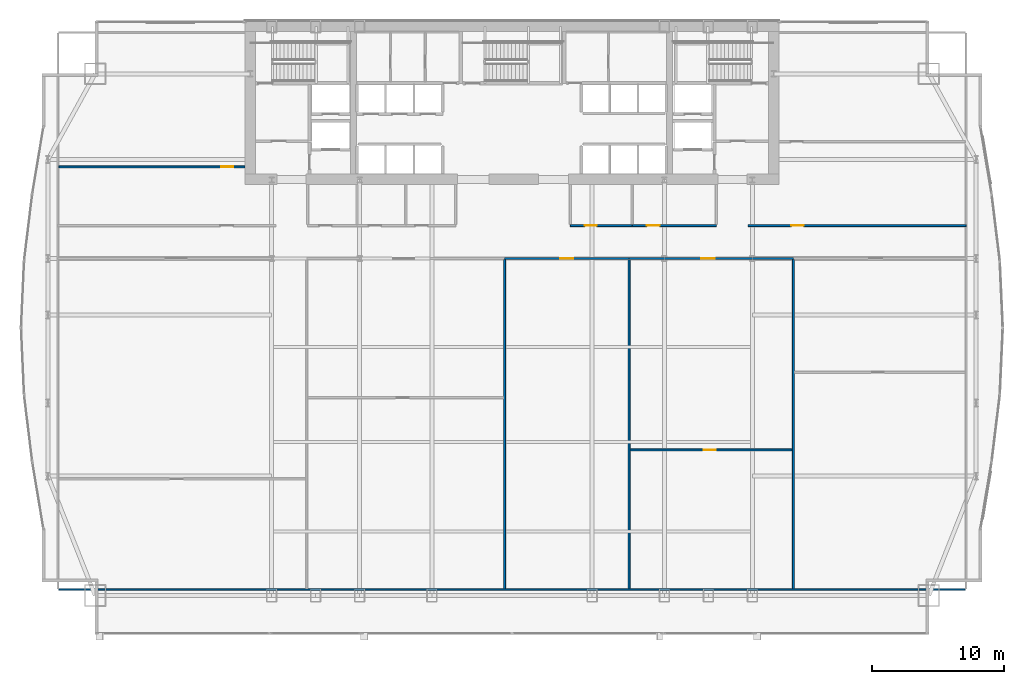
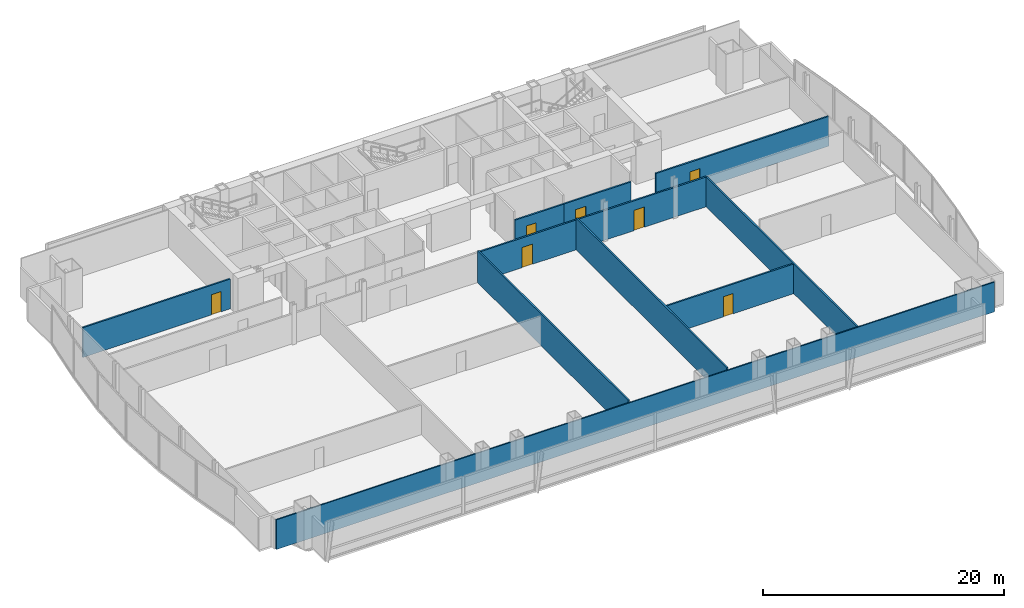
# One storey, part 27 of 32: 11 walls, 7 doors, 7 openings.
"""IFC4 building model written with IfcOpenShell, lengths in metres."""

from ifc_helpers import new_model, si_unit, direction, frame, frame_2d, origin, place, context, subcontext, project, spatial, rectangle, extrude, material, layer, layer_set, type_object, element, fill, save


model = new_model("IFC4")

# Units and contexts
model_context = context("Model", 3, precision=1e-05, world=origin(), true_north=direction((0.0, 1.0)))
body_context = subcontext(model_context, "Body", "Model", "MODEL_VIEW")
ifc_project = project(units=[si_unit("LENGTHUNIT", "METRE"), si_unit("AREAUNIT", "SQUARE_METRE"), si_unit("VOLUMEUNIT", "CUBIC_METRE"), si_unit("PLANEANGLEUNIT", "RADIAN"), si_unit("MASSUNIT", "GRAM", prefix="KILO")], contexts=[model_context])

# Site, building, storey
site_placement = place(None, origin())
site = spatial("IfcSite", under=ifc_project, at=site_placement, CompositionType="ELEMENT")
building_placement = place(site_placement, origin())
building = spatial("IfcBuilding", under=site, at=building_placement, Name="Khoronbel Lancet Exchange", CompositionType="ELEMENT")
storey_placement = place(building_placement, frame((0.0, 0.0, 41.800048828125)))
storey = spatial("IfcBuildingStorey", under=building, at=storey_placement, Name="L09", CompositionType="ELEMENT", Elevation=41.800048828125)

# Wall, opening, door
ifc_material_1 = material(Name="Acoustic Metal-Stud & Mineral-Wool Gypsum Partition 120 mm", Category="gypsum")
ifc_layer_1 = layer(ifc_material_1, 0.1201171875, Name="Acoustic Metal-Stud & Mineral-Wool Gypsum Partition 120 mm")
ifc_layer_set_1 = layer_set([ifc_layer_1], Name="Acoustic Metal-Stud & Mineral-Wool Gypsum Partition 120 mm")
wall_type_1 = type_object("IfcWallType", Name="WL-PRT120", PredefinedType="PARTITIONING", material=ifc_layer_set_1)
wall_1_placement = place(storey_placement, frame((2.094970703125, 42.64990234375, 0.0), z_axis=(0.0, 0.0, 1.0), x_axis=(1.0, 0.0, 0.0)))
wall_1 = element("IfcWall", 1, at=wall_1_placement, inside=storey, type_object=wall_type_1, Name="Level L09 interior partition PW-NW-H", PredefinedType="PARTITIONING", context=body_context, shape_type="SweptSolid", body=[
    extrude(rectangle(XDim=14.10498046875, YDim=0.14990234375, at=frame_2d((7.052490234375, 0.0))), origin(), (0.0, 0.0, 1.0), 3.010009765625),
])
opening_1_placement = place(wall_1_placement, frame((12.320068359375, 0.0, 0.0)))
opening_1 = element("IfcOpeningElement", 2, at=opening_1_placement, cuts=wall_1, Name="Opening D5", PredefinedType="OPENING", context=body_context, shape_type="SweptSolid", body=[
    extrude(rectangle(XDim=0.89990234375, YDim=2.050048828125, at=frame_2d((0.449951171875, 1.02490234375))), frame((0.0, 0.0849609375, 0.0), z_axis=(0.0, -1.0, 0.0), x_axis=(1.0, 0.0, 0.0)), (0.0, 0.0, 1.0), 0.169921875),
])
ifc_material_2 = material(Name="Acoustic Timber Pantry & Support Door", Category="wood")
door_type_1 = type_object("IfcDoorType", Name="DR-D5", OperationType="NOTDEFINED", PredefinedType="DOOR", material=ifc_material_2)
door_1_placement = place(opening_1_placement, origin())
door_1 = element("IfcDoor", 3, at=door_1_placement, inside=storey, type_object=door_type_1, Name="NW north room door L09-1", OperationType="SINGLE_SWING_LEFT", OverallHeight=2.050048828125, OverallWidth=0.89990234375, PredefinedType="DOOR", context=body_context, shape_type="SweptSolid", body=[
    extrude(rectangle(XDim=0.89990234375, YDim=2.050048828125, at=frame_2d((0.449951171875, 1.02490234375))), frame((0.0, 0.02490234375, 0.0), z_axis=(0.0, -1.0, 0.0), x_axis=(1.0, 0.0, 0.0)), (0.0, 0.0, 1.0), 0.050048828125),
])
fill(opening_1, door_1)

wall_2_placement = place(storey_placement, frame((45.402099609375, 21.19580078125, 0.0), z_axis=(0.0, 0.0, 1.0), x_axis=(1.0, 0.0, 0.0)))
wall_2 = element("IfcWall", 4, at=wall_2_placement, inside=storey, type_object=wall_type_1, Name="Level L09 interior partition PW-Z1S-H4", PredefinedType="PARTITIONING", context=body_context, shape_type="SweptSolid", body=[
    extrude(rectangle(XDim=12.2900390625, YDim=0.14990234375, at=frame_2d((6.14501953125, 0.0))), origin(), (0.0, 0.0, 1.0), 3.010009765625),
])
opening_2_placement = place(wall_2_placement, frame((5.6025390625, 0.0, 0.0)))
opening_2 = element("IfcOpeningElement", 5, at=opening_2_placement, cuts=wall_2, Name="Opening D5", PredefinedType="OPENING", context=body_context, shape_type="SweptSolid", body=[
    extrude(rectangle(XDim=0.89990234375, YDim=2.050048828125, at=frame_2d((0.449951171875, 1.02490234375))), frame((0.0, 0.0849609375, 0.0), z_axis=(0.0, -1.0, 0.0), x_axis=(1.0, 0.0, 0.0)), (0.0, 0.0, 1.0), 0.169921875),
])
door_2_placement = place(opening_2_placement, origin())
door_2 = element("IfcDoor", 6, at=door_2_placement, inside=storey, type_object=door_type_1, Name="Z1S inner door 4 L09-1", OperationType="SINGLE_SWING_LEFT", OverallHeight=2.050048828125, OverallWidth=0.89990234375, PredefinedType="DOOR", context=body_context, shape_type="SweptSolid", body=[
    extrude(rectangle(XDim=0.89990234375, YDim=2.050048828125, at=frame_2d((0.449951171875, 1.02490234375))), frame((0.0, 0.02490234375, 0.0), z_axis=(0.0, -1.0, 0.0), x_axis=(1.0, 0.0, 0.0)), (0.0, 0.0, 1.0), 0.050048828125),
])
fill(opening_2, door_2)

# Wall
wall_3_placement = place(storey_placement, frame((2.094970703125, 10.60009765625, 0.0), z_axis=(0.0, 0.0, 1.0), x_axis=(1.0, 0.0, 0.0)))
element("IfcWall", 7, at=wall_3_placement, inside=storey, type_object=wall_type_1, Name="Level L09 interior partition PW-LIN-S", PredefinedType="PARTITIONING", context=body_context, shape_type="SweptSolid", body=[
    extrude(rectangle(XDim=68.7099609375, YDim=0.1201171875, at=frame_2d((34.35498046875, 0.0))), origin(), (0.0, 0.0, 1.0), 3.010009765625),
])

# Wall, opening, door
ifc_material_3 = material(Name="Fire-Rated Twin-Stud Acoustic Gypsum Partition 150 mm", Category="gypsum")
ifc_layer_2 = layer(ifc_material_3, 0.14990234375, Name="Fire-Rated Twin-Stud Acoustic Gypsum Partition 150 mm")
ifc_layer_set_2 = layer_set([ifc_layer_2], Name="Fire-Rated Twin-Stud Acoustic Gypsum Partition 150 mm")
wall_type_2 = type_object("IfcWallType", Name="WL-PRT150C", PredefinedType="PARTITIONING", material=ifc_layer_set_2)
wall_4_placement = place(storey_placement, frame((40.8798828125, 38.199951171875, 0.0), z_axis=(0.0, 0.0, 1.0), x_axis=(1.0, 0.0, 0.0)))
wall_4 = element("IfcWall", 8, at=wall_4_placement, inside=storey, type_object=wall_type_2, Name="Level L09 interior partition PW-NP-S1", PredefinedType="PARTITIONING", context=body_context, shape_type="SweptSolid", body=[
    extrude(rectangle(XDim=4.670166015625, YDim=0.14990234375, at=frame_2d((2.3349609375, 0.0))), origin(), (0.0, 0.0, 1.0), 3.010009765625),
])
opening_3_placement = place(wall_4_placement, frame((1.10009765625, 0.0, 0.0)))
opening_3 = element("IfcOpeningElement", 9, at=opening_3_placement, cuts=wall_4, Name="Opening D5", PredefinedType="OPENING", context=body_context, shape_type="SweptSolid", body=[
    extrude(rectangle(XDim=0.89990234375, YDim=2.050048828125, at=frame_2d((0.449951171875, 1.02490234375))), frame((0.0, 0.0849609375, 0.0), z_axis=(0.0, -1.0, 0.0), x_axis=(1.0, 0.0, 0.0)), (0.0, 0.0, 1.0), 0.169921875),
])
door_3_placement = place(opening_3_placement, origin())
door_3 = element("IfcDoor", 10, at=door_3_placement, inside=storey, type_object=door_type_1, Name="Floor refreshment pantry door L09-1", OperationType="SINGLE_SWING_LEFT", OverallHeight=2.050048828125, OverallWidth=0.89990234375, PredefinedType="DOOR", context=body_context, shape_type="SweptSolid", body=[
    extrude(rectangle(XDim=0.89990234375, YDim=2.050048828125, at=frame_2d((0.449951171875, 1.02490234375))), frame((0.0, 0.02490234375, 0.0), z_axis=(0.0, -1.0, 0.0), x_axis=(1.0, 0.0, 0.0)), (0.0, 0.0, 1.0), 0.050048828125),
])
fill(opening_3, door_3)

wall_5_placement = place(storey_placement, frame((45.550048828125, 38.199951171875, 0.0), z_axis=(0.0, 0.0, 1.0), x_axis=(1.0, 0.0, 0.0)))
wall_5 = element("IfcWall", 11, at=wall_5_placement, inside=storey, type_object=wall_type_2, Name="Level L09 interior partition PW-NP-S2", PredefinedType="PARTITIONING", context=body_context, shape_type="SweptSolid", body=[
    extrude(rectangle(XDim=6.39990234375, YDim=0.14990234375, at=frame_2d((3.199951171875, 0.0))), origin(), (0.0, 0.0, 1.0), 3.010009765625),
])
opening_4_placement = place(wall_5_placement, frame((1.10009765625, 0.0, 0.0)))
opening_4 = element("IfcOpeningElement", 12, at=opening_4_placement, cuts=wall_5, Name="Opening D2", PredefinedType="OPENING", context=body_context, shape_type="SweptSolid", body=[
    extrude(rectangle(XDim=1.0, YDim=2.050048828125, at=frame_2d((0.5, 1.02490234375))), frame((0.0, 0.0849609375, 0.0), z_axis=(0.0, -1.0, 0.0), x_axis=(1.0, 0.0, 0.0)), (0.0, 0.0, 1.0), 0.169921875),
])
ifc_material_4 = material(Name="Acoustic Veneered Timber & Bronze Frame Door", Category="wood")
door_type_2 = type_object("IfcDoorType", Name="DR-D2", OperationType="NOTDEFINED", PredefinedType="DOOR", material=ifc_material_4)
door_4_placement = place(opening_4_placement, origin())
door_4 = element("IfcDoor", 13, at=door_4_placement, inside=storey, type_object=door_type_2, Name="Floor store door L09-1", OperationType="SINGLE_SWING_RIGHT", OverallHeight=2.050048828125, OverallWidth=1.0, PredefinedType="DOOR", context=body_context, shape_type="SweptSolid", body=[
    extrude(rectangle(XDim=1.0, YDim=2.050048828125, at=frame_2d((0.5, 1.02490234375))), frame((0.0, 0.02490234375, 0.0), z_axis=(0.0, -1.0, 0.0), x_axis=(1.0, 0.0, 0.0)), (0.0, 0.0, 1.0), 0.050048828125),
])
fill(opening_4, door_4)

wall_6_placement = place(storey_placement, frame((54.35009765625, 38.199951171875, 0.0), z_axis=(0.0, 0.0, 1.0), x_axis=(1.0, 0.0, 0.0)))
wall_6 = element("IfcWall", 14, at=wall_6_placement, inside=storey, type_object=wall_type_2, Name="Level L09 interior partition PW-NE-S", PredefinedType="PARTITIONING", context=body_context, shape_type="SweptSolid", body=[
    extrude(rectangle(XDim=16.52001953125, YDim=0.14990234375, at=frame_2d((8.260009765625, 0.0))), origin(), (0.0, 0.0, 1.0), 3.010009765625),
])
opening_5_placement = place(wall_6_placement, frame((3.25, 0.0, 0.0)))
opening_5 = element("IfcOpeningElement", 15, at=opening_5_placement, cuts=wall_6, Name="Opening D1", PredefinedType="OPENING", context=body_context, shape_type="SweptSolid", body=[
    extrude(rectangle(XDim=0.949951171875, YDim=2.050048828125, at=frame_2d((0.47509765625, 1.02490234375))), frame((0.0, 0.0849609375, 0.0), z_axis=(0.0, -1.0, 0.0), x_axis=(1.0, 0.0, 0.0)), (0.0, 0.0, 1.0), 0.169921875),
])
door_type_3 = type_object("IfcDoorType", Name="DR-D1", OperationType="NOTDEFINED", PredefinedType="DOOR", material=ifc_material_4)
door_5_placement = place(opening_5_placement, origin())
door_5 = element("IfcDoor", 16, at=door_5_placement, inside=storey, type_object=door_type_3, Name="NE corner room door L09-1", OperationType="SINGLE_SWING_RIGHT", OverallHeight=2.050048828125, OverallWidth=0.949951171875, PredefinedType="DOOR", context=body_context, shape_type="SweptSolid", body=[
    extrude(rectangle(XDim=0.949951171875, YDim=2.050048828125, at=frame_2d((0.47509765625, 1.02490234375))), frame((0.0, 0.02490234375, 0.0), z_axis=(0.0, -1.0, 0.0), x_axis=(1.0, 0.0, 0.0)), (0.0, 0.0, 1.0), 0.050048828125),
])
fill(opening_5, door_5)

# Walls
for number, where, z_axis, x_axis, name in (
    (17, (35.8916015625, 10.6650390625, 0.0), (0.0, 0.0, 1.0), (0.0, 1.0, 0.0), "Level L09 interior partition PW-Z1S-V2"),
    (18, (45.322021484375, 10.6650390625, 0.0), (0.0, 0.0, 1.0), (0.0, 1.0, 0.0), "Level L09 interior partition PW-Z1S-V3"),
):
    element("IfcWall", number, at=place(storey_placement, frame(where, z_axis=z_axis, x_axis=x_axis)), inside=storey, type_object=wall_type_2, Name=name, PredefinedType="PARTITIONING", context=body_context, shape_type="SweptSolid", body=[
        extrude(rectangle(XDim=24.949951171875, YDim=0.14990234375, at=frame_2d((12.47509765625, 0.0))), origin(), (0.0, 0.0, 1.0), 3.2099609375),
    ])
wall_7_placement = place(storey_placement, frame((57.772216796875, 10.6650390625, 0.0), z_axis=(0.0, 0.0, 1.0), x_axis=(0.0, 1.0, 0.0)))
element("IfcWall", 19, at=wall_7_placement, inside=storey, type_object=wall_type_2, Name="Level L09 interior partition PW-Z1S-V4", PredefinedType="PARTITIONING", context=body_context, shape_type="SweptSolid", body=[
    extrude(rectangle(XDim=24.949951171875, YDim=0.14990234375, at=frame_2d((12.47509765625, 0.0))), origin(), (0.0, 0.0, 1.0), 3.010009765625),
])

# Wall, opening, door
ifc_material_5 = material(Name="Fire-Rated Twin-Stud Acoustic Gypsum Partition 160 mm", Category="gypsum")
ifc_layer_3 = layer(ifc_material_5, 0.159912109375, Name="Fire-Rated Twin-Stud Acoustic Gypsum Partition 160 mm")
ifc_layer_set_3 = layer_set([ifc_layer_3], Name="Fire-Rated Twin-Stud Acoustic Gypsum Partition 160 mm")
wall_type_3 = type_object("IfcWallType", Name="WL-PRT160C", PredefinedType="PARTITIONING", material=ifc_layer_set_3)
wall_8_placement = place(storey_placement, frame((35.8916015625, 35.699951171875, 0.0), z_axis=(0.0, 0.0, 1.0), x_axis=(1.0, 0.0, 0.0)))
wall_8 = element("IfcWall", 20, at=wall_8_placement, inside=storey, type_object=wall_type_3, Name="Level L09 interior partition PW-Z1S-COR3", PredefinedType="PARTITIONING", context=body_context, shape_type="SweptSolid", body=[
    extrude(rectangle(XDim=9.430419921875, YDim=0.159912109375, at=frame_2d((4.71533203125, 0.0))), origin(), (0.0, 0.0, 1.0), 3.010009765625),
])
opening_6_placement = place(wall_8_placement, frame((4.210693359375, 0.0, 0.0)))
opening_6 = element("IfcOpeningElement", 21, at=opening_6_placement, cuts=wall_8, Name="Opening D2", PredefinedType="OPENING", context=body_context, shape_type="SweptSolid", body=[
    extrude(rectangle(XDim=1.0, YDim=2.050048828125, at=frame_2d((0.5, 1.02490234375))), frame((0.0, 0.08984375, 0.0), z_axis=(0.0, -1.0, 0.0), x_axis=(1.0, 0.0, 0.0)), (0.0, 0.0, 1.0), 0.179931640625),
])
door_6_placement = place(opening_6_placement, origin())
door_6 = element("IfcDoor", 22, at=door_6_placement, inside=storey, type_object=door_type_2, Name="Z1S bay 3 door L09-1", OperationType="SINGLE_SWING_LEFT", OverallHeight=2.050048828125, OverallWidth=1.0, PredefinedType="DOOR", context=body_context, shape_type="SweptSolid", body=[
    extrude(rectangle(XDim=1.0, YDim=2.050048828125, at=frame_2d((0.5, 1.02490234375))), frame((0.0, 0.02490234375, 0.0), z_axis=(0.0, -1.0, 0.0), x_axis=(1.0, 0.0, 0.0)), (0.0, 0.0, 1.0), 0.050048828125),
])
fill(opening_6, door_6)

wall_9_placement = place(storey_placement, frame((45.322021484375, 35.699951171875, 0.0), z_axis=(0.0, 0.0, 1.0), x_axis=(1.0, 0.0, 0.0)))
wall_9 = element("IfcWall", 23, at=wall_9_placement, inside=storey, type_object=wall_type_3, Name="Level L09 interior partition PW-Z1S-COR4", PredefinedType="PARTITIONING", context=body_context, shape_type="SweptSolid", body=[
    extrude(rectangle(XDim=12.4501953125, YDim=0.159912109375, at=frame_2d((6.22509765625, 0.0))), origin(), (0.0, 0.0, 1.0), 3.010009765625),
])
opening_7_placement = place(wall_9_placement, frame((5.47900390625, 0.0, 0.0)))
opening_7 = element("IfcOpeningElement", 24, at=opening_7_placement, cuts=wall_9, Name="Opening D2", PredefinedType="OPENING", context=body_context, shape_type="SweptSolid", body=[
    extrude(rectangle(XDim=1.0, YDim=2.050048828125, at=frame_2d((0.5, 1.02490234375))), frame((0.0, 0.08984375, 0.0), z_axis=(0.0, -1.0, 0.0), x_axis=(1.0, 0.0, 0.0)), (0.0, 0.0, 1.0), 0.179931640625),
])
door_7_placement = place(opening_7_placement, origin())
door_7 = element("IfcDoor", 25, at=door_7_placement, inside=storey, type_object=door_type_2, Name="Z1S bay 4 door L09-1", OperationType="SINGLE_SWING_RIGHT", OverallHeight=2.050048828125, OverallWidth=1.0, PredefinedType="DOOR", context=body_context, shape_type="SweptSolid", body=[
    extrude(rectangle(XDim=1.0, YDim=2.050048828125, at=frame_2d((0.5, 1.02490234375))), frame((0.0, 0.02490234375, 0.0), z_axis=(0.0, -1.0, 0.0), x_axis=(1.0, 0.0, 0.0)), (0.0, 0.0, 1.0), 0.050048828125),
])
fill(opening_7, door_7)

save(model, "model.ifc")
